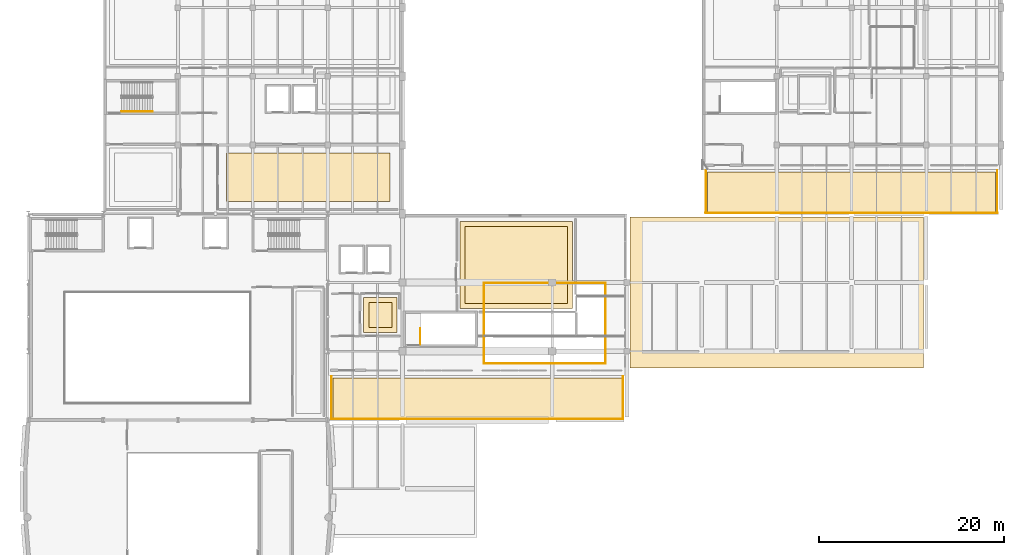
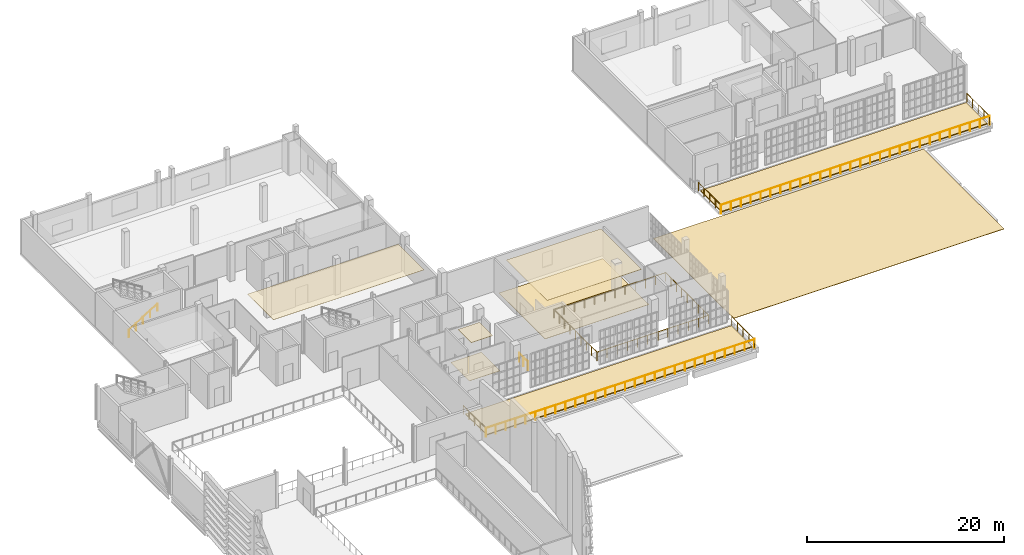
# One storey, part 54 of 56: 10 railings, 8 coverings.
"""IFC4 building model written with IfcOpenShell, lengths in metres."""

from ifc_helpers import new_model, si_unit, direction, frame, origin, origin_2d, place, context, subcontext, project, spatial, polyline, circle, outline, extrude, material, layer, layer_set, type_object, element, save


model = new_model("IFC4")

# Units and contexts
model_context = context("Model", 3, precision=1e-05, world=origin(), true_north=direction((0.0, 1.0)))
body_context = subcontext(model_context, "Body", "Model", "MODEL_VIEW")
ifc_project = project(units=[si_unit("LENGTHUNIT", "METRE"), si_unit("AREAUNIT", "SQUARE_METRE"), si_unit("VOLUMEUNIT", "CUBIC_METRE"), si_unit("PLANEANGLEUNIT", "RADIAN"), si_unit("MASSUNIT", "GRAM", prefix="KILO")], contexts=[model_context])

# Site, building, storey
site_placement = place(None, origin())
site = spatial("IfcSite", under=ifc_project, at=site_placement, CompositionType="ELEMENT")
building_placement = place(site_placement, origin())
building = spatial("IfcBuilding", under=site, at=building_placement, Name="Kaelora Sail Theatre", CompositionType="ELEMENT")
storey_placement = place(building_placement, frame((0.0, 0.0, 14.699951171875)))
storey = spatial("IfcBuildingStorey", under=building, at=storey_placement, Name="L03", CompositionType="ELEMENT", Elevation=14.699951171875)

# Coverings
ifc_material_1 = material(Name="Micro-perforated timber acoustic reflector", Category="wood")
ifc_layer_1 = layer(ifc_material_1, 0.050048828125)
ifc_layer_set_1 = layer_set([ifc_layer_1], Name="Micro-perforated timber acoustic reflector")
covering_type_1 = type_object("IfcCoveringType", Name="ARC-COV-CLG-AC-50", PredefinedType="CEILING", material=ifc_layer_set_1)
covering_1_placement = place(storey_placement, frame((0.0, 0.0, 4.215087890625)))
element("IfcCovering", 1, at=covering_1_placement, inside=storey, type_object=covering_type_1, Name="Acoustic ceiling L03-DONOR-EAST", PredefinedType="CEILING", context=body_context, shape_type="SweptSolid", body=[
    extrude(outline(polyline([(62.64990234375, 71.050048828125), (65.14990234375, 71.050048828125), (65.14990234375, 73.75), (62.64990234375, 73.75), (62.64990234375, 71.050048828125)])), origin(), (0.0, 0.0, 1.0), 0.050048828125),
])
ifc_material_2 = material(Name="Suspended acoustic mineral-fibre ceiling", Category="gypsum")
ifc_layer_2 = layer(ifc_material_2, 0.034912109375)
ifc_layer_set_2 = layer_set([ifc_layer_2], Name="Suspended acoustic mineral-fibre ceiling")
covering_type_2 = type_object("IfcCoveringType", Name="ARC-COV-CLG-GYP-35", PredefinedType="CEILING", material=ifc_layer_set_2)
covering_2_placement = place(storey_placement, frame((0.0, 0.0, 4.22998046875)))
element("IfcCovering", 2, at=covering_2_placement, inside=storey, type_object=covering_type_2, Name="Acoustic ceiling L03-FOY-VIP", PredefinedType="CEILING", context=body_context, shape_type="SweptSolid", body=[
    extrude(outline(polyline([(73.050048828125, 73.64990234375), (84.14990234375, 73.64990234375), (84.14990234375, 81.949951171875), (73.050048828125, 81.949951171875), (73.050048828125, 73.64990234375)])), origin(), (0.0, 0.0, 1.0), 0.03515625),
])
covering_3_placement = place(storey_placement, frame((0.0, 0.0, 4.2099609375)))
element("IfcCovering", 3, at=covering_3_placement, inside=storey, type_object=covering_type_2, Name="Acoustic ceiling L03-SCORE-W", PredefinedType="CEILING", context=body_context, shape_type="SweptSolid", body=[
    extrude(outline(polyline([(47.25, 84.64990234375), (64.949951171875, 84.64990234375), (64.949951171875, 89.89990234375), (47.25, 89.89990234375), (47.25, 84.64990234375)])), origin(), (0.0, 0.0, 1.0), 0.03515625),
])
ifc_material_3 = material(Name="Polished basalt-terrazzo foyer flooring", Category="masonry")
ifc_layer_3 = layer(ifc_material_3, 0.031982421875)
ifc_layer_set_3 = layer_set([ifc_layer_3], Name="Polished basalt-terrazzo foyer flooring")
covering_type_3 = type_object("IfcCoveringType", Name="ARC-COV-FLR-TRZ-32", PredefinedType="FLOORING", material=ifc_layer_set_3)
covering_4_placement = place(storey_placement, origin())
element("IfcCovering", 4, at=covering_4_placement, inside=storey, type_object=covering_type_3, Name="Architectural flooring L03-FOY-VIP", PredefinedType="FLOORING", context=body_context, shape_type="SweptSolid", body=[
    extrude(outline(polyline([(72.5, 73.10009765625), (84.699951171875, 73.10009765625), (84.699951171875, 82.5), (72.5, 82.5), (72.5, 73.10009765625)])), origin(), (0.0, 0.0, 1.0), 0.031982421875),
])
covering_5_placement = place(storey_placement, origin())
element("IfcCovering", 5, at=covering_5_placement, inside=storey, type_object=covering_type_3, Name="Architectural flooring L03-DONOR-EAST", PredefinedType="FLOORING", context=body_context, shape_type="SweptSolid", body=[
    extrude(outline(polyline([(62.10009765625, 70.5), (65.699951171875, 70.5), (65.699951171875, 74.300048828125), (62.10009765625, 74.300048828125), (62.10009765625, 70.5)])), origin(), (0.0, 0.0, 1.0), 0.031982421875),
])
ifc_material_4 = material(Name="Planted roof garden and green foliage terrace bed", Category="earth")
ifc_layer_4 = layer(ifc_material_4, 0.1201171875)
ifc_layer_set_4 = layer_set([ifc_layer_4], Name="Planted roof garden and green foliage terrace bed")
covering_type_4 = type_object("IfcCoveringType", Name="ARC-COV-GRN", PredefinedType="ROOFING", material=ifc_layer_set_4)
covering_6_placement = place(storey_placement, origin())
element("IfcCovering", 6, at=covering_6_placement, inside=storey, type_object=covering_type_4, Name="Third Step Belvedere Foyer Planted Podium Terrace Planted Garden Bed", PredefinedType="ROOFING", context=body_context, shape_type="SweptSolid", body=[
    extrude(outline(polyline([(58.800048828125, 61.284912109375), (90.0, 61.284912109375), (90.0, 65.56494140625), (58.800048828125, 65.56494140625), (58.800048828125, 61.284912109375)])), origin(), (0.0, 0.0, 1.0), 0.1201171875),
])
covering_7_placement = place(storey_placement, origin())
element("IfcCovering", 7, at=covering_7_placement, inside=storey, type_object=covering_type_4, Name="Fourth Step Choreography Planted Garden Terrace Planted Garden Bed", PredefinedType="ROOFING", context=body_context, shape_type="SweptSolid", body=[
    extrude(outline(polyline([(99.300048828125, 83.60498046875), (130.5, 83.60498046875), (130.5, 87.885009765625), (99.300048828125, 87.885009765625), (99.300048828125, 83.60498046875)])), origin(), (0.0, 0.0, 1.0), 0.1201171875),
])
ifc_material_5 = material(Name="Standing-seam titanium-zinc and TPO membrane", Category="metal")
ifc_layer_5 = layer(ifc_material_5, 0.044921875)
ifc_layer_set_5 = layer_set([ifc_layer_5], Name="Standing-seam titanium-zinc and TPO membrane")
covering_type_5 = type_object("IfcCoveringType", Name="ARC-COV-RFM", PredefinedType="ROOFING", material=ifc_layer_set_5)
covering_8_placement = place(storey_placement, origin())
element("IfcCovering", 8, at=covering_8_placement, inside=storey, type_object=covering_type_5, Name="Standing-seam titanium-zinc roofing FC2", PredefinedType="ROOFING", context=body_context, shape_type="SweptSolid", body=[
    extrude(outline(polyline([(90.929931640625, 66.64990234375), (122.669921875, 66.64990234375), (122.669921875, 83.010009765625), (90.929931640625, 83.010009765625), (90.929931640625, 66.64990234375)])), origin(), (0.0, 0.0, 1.0), 0.045166015625),
])

# Railings
ifc_material_6 = material(Name="Acoustic bronze and laminated glass balcony balustrade", Category="glass")
railing_type_1 = type_object("IfcRailingType", Name="ARC-RL-BAL", PredefinedType="BALUSTRADE", material=ifc_material_6)
railing_1_placement = place(storey_placement, frame((75.139892578125, 71.449951171875, 0.0)))
element("IfcRailing", 9, at=railing_1_placement, inside=storey, type_object=railing_type_1, Name="Interior void balustrade ATRIUM-3 south", PredefinedType="BALUSTRADE", context=body_context, shape_type="SweptSolid", body=[
    extrude(circle(Radius=0.02392578125, at=origin_2d()), frame((0.0, 0.0, 1.076171875), z_axis=(0.0, -1.0, 0.0), x_axis=(1.0, 0.0, 0.0)), (0.0, 0.0, 1.0), 4.31005859375),
    extrude(circle(Radius=0.02392578125, at=origin_2d()), frame((0.0, -4.31005859375, 1.076171875), z_axis=(1.0, 0.0, 0.0), x_axis=(0.0, 1.0, 0.0)), (0.0, 0.0, 1.0), 13.1201171875),
    extrude(circle(Radius=0.02392578125, at=origin_2d()), frame((13.1201171875, -4.31005859375, 1.076171875), z_axis=(0.0, 1.0, 0.0), x_axis=(-1.0, 0.0, 0.0)), (0.0, 0.0, 1.0), 4.31005859375),
    extrude(circle(Radius=0.02099609375, at=origin_2d()), origin(), (0.0, 0.0, 1.0), 1.052001953125),
    extrude(circle(Radius=0.02099609375, at=origin_2d()), frame((0.0, -1.07763671875, 0.0)), (0.0, 0.0, 1.0), 1.052001953125),
    extrude(circle(Radius=0.02099609375, at=origin_2d()), frame((0.0, -2.155029296875, 0.0)), (0.0, 0.0, 1.0), 1.052001953125),
    extrude(circle(Radius=0.02099609375, at=origin_2d()), frame((0.0, -3.232421875, 0.0)), (0.0, 0.0, 1.0), 1.052001953125),
    extrude(circle(Radius=0.02099609375, at=origin_2d()), frame((0.0, -4.31005859375, 0.0)), (0.0, 0.0, 1.0), 1.052001953125),
    extrude(circle(Radius=0.02099609375, at=origin_2d()), frame((1.192626953125, -4.31005859375, 0.0)), (0.0, 0.0, 1.0), 1.052001953125),
    extrude(circle(Radius=0.02099609375, at=origin_2d()), frame((2.385498046875, -4.31005859375, 0.0)), (0.0, 0.0, 1.0), 1.052001953125),
    extrude(circle(Radius=0.02099609375, at=origin_2d()), frame((3.578125, -4.31005859375, 0.0)), (0.0, 0.0, 1.0), 1.052001953125),
    extrude(circle(Radius=0.02099609375, at=origin_2d()), frame((4.77099609375, -4.31005859375, 0.0)), (0.0, 0.0, 1.0), 1.052001953125),
    extrude(circle(Radius=0.02099609375, at=origin_2d()), frame((5.963623046875, -4.31005859375, 0.0)), (0.0, 0.0, 1.0), 1.052001953125),
    extrude(circle(Radius=0.02099609375, at=origin_2d()), frame((7.156494140625, -4.31005859375, 0.0)), (0.0, 0.0, 1.0), 1.052001953125),
    extrude(circle(Radius=0.02099609375, at=origin_2d()), frame((8.34912109375, -4.31005859375, 0.0)), (0.0, 0.0, 1.0), 1.052001953125),
    extrude(circle(Radius=0.02099609375, at=origin_2d()), frame((9.5419921875, -4.31005859375, 0.0)), (0.0, 0.0, 1.0), 1.052001953125),
    extrude(circle(Radius=0.02099609375, at=origin_2d()), frame((10.734619140625, -4.31005859375, 0.0)), (0.0, 0.0, 1.0), 1.052001953125),
    extrude(circle(Radius=0.02099609375, at=origin_2d()), frame((11.927490234375, -4.31005859375, 0.0)), (0.0, 0.0, 1.0), 1.052001953125),
    extrude(circle(Radius=0.02099609375, at=origin_2d()), frame((13.1201171875, -4.31005859375, 0.0)), (0.0, 0.0, 1.0), 1.052001953125),
    extrude(circle(Radius=0.02099609375, at=origin_2d()), frame((13.1201171875, -3.232421875, 0.0)), (0.0, 0.0, 1.0), 1.052001953125),
    extrude(circle(Radius=0.02099609375, at=origin_2d()), frame((13.1201171875, -2.155029296875, 0.0)), (0.0, 0.0, 1.0), 1.052001953125),
    extrude(circle(Radius=0.02099609375, at=origin_2d()), frame((13.1201171875, -1.07763671875, 0.0)), (0.0, 0.0, 1.0), 1.052001953125),
    extrude(circle(Radius=0.02099609375, at=origin_2d()), frame((13.1201171875, 0.0, 0.0)), (0.0, 0.0, 1.0), 1.052001953125),
])
railing_2_placement = place(storey_placement, frame((88.260009765625, 71.550048828125, 0.0)))
element("IfcRailing", 10, at=railing_2_placement, inside=storey, type_object=railing_type_1, Name="Interior void balustrade ATRIUM-3 north", PredefinedType="BALUSTRADE", context=body_context, shape_type="SweptSolid", body=[
    extrude(circle(Radius=0.02392578125, at=origin_2d()), frame((0.0, 0.0, 1.076171875), z_axis=(0.0, 1.0, 0.0), x_axis=(-1.0, 0.0, 0.0)), (0.0, 0.0, 1.0), 4.31005859375),
    extrude(circle(Radius=0.02392578125, at=origin_2d()), frame((0.0, 4.31005859375, 1.076171875), z_axis=(-1.0, 0.0, 0.0), x_axis=(0.0, -1.0, 0.0)), (0.0, 0.0, 1.0), 13.1201171875),
    extrude(circle(Radius=0.02392578125, at=origin_2d()), frame((-13.1201171875, 4.31005859375, 1.076171875), z_axis=(0.0, -1.0, 0.0), x_axis=(1.0, 0.0, 0.0)), (0.0, 0.0, 1.0), 4.31005859375),
    extrude(circle(Radius=0.02099609375, at=origin_2d()), origin(), (0.0, 0.0, 1.0), 1.052001953125),
    extrude(circle(Radius=0.02099609375, at=origin_2d()), frame((0.0, 1.07763671875, 0.0)), (0.0, 0.0, 1.0), 1.052001953125),
    extrude(circle(Radius=0.02099609375, at=origin_2d()), frame((0.0, 2.155029296875, 0.0)), (0.0, 0.0, 1.0), 1.052001953125),
    extrude(circle(Radius=0.02099609375, at=origin_2d()), frame((0.0, 3.232421875, 0.0)), (0.0, 0.0, 1.0), 1.052001953125),
    extrude(circle(Radius=0.02099609375, at=origin_2d()), frame((0.0, 4.31005859375, 0.0)), (0.0, 0.0, 1.0), 1.052001953125),
    extrude(circle(Radius=0.02099609375, at=origin_2d()), frame((-1.192626953125, 4.31005859375, 0.0)), (0.0, 0.0, 1.0), 1.052001953125),
    extrude(circle(Radius=0.02099609375, at=origin_2d()), frame((-2.385498046875, 4.31005859375, 0.0)), (0.0, 0.0, 1.0), 1.052001953125),
    extrude(circle(Radius=0.02099609375, at=origin_2d()), frame((-3.578125, 4.31005859375, 0.0)), (0.0, 0.0, 1.0), 1.052001953125),
    extrude(circle(Radius=0.02099609375, at=origin_2d()), frame((-4.77099609375, 4.31005859375, 0.0)), (0.0, 0.0, 1.0), 1.052001953125),
    extrude(circle(Radius=0.02099609375, at=origin_2d()), frame((-5.963623046875, 4.31005859375, 0.0)), (0.0, 0.0, 1.0), 1.052001953125),
    extrude(circle(Radius=0.02099609375, at=origin_2d()), frame((-7.156494140625, 4.31005859375, 0.0)), (0.0, 0.0, 1.0), 1.052001953125),
    extrude(circle(Radius=0.02099609375, at=origin_2d()), frame((-8.34912109375, 4.31005859375, 0.0)), (0.0, 0.0, 1.0), 1.052001953125),
    extrude(circle(Radius=0.02099609375, at=origin_2d()), frame((-9.5419921875, 4.31005859375, 0.0)), (0.0, 0.0, 1.0), 1.052001953125),
    extrude(circle(Radius=0.02099609375, at=origin_2d()), frame((-10.734619140625, 4.31005859375, 0.0)), (0.0, 0.0, 1.0), 1.052001953125),
    extrude(circle(Radius=0.02099609375, at=origin_2d()), frame((-11.927490234375, 4.31005859375, 0.0)), (0.0, 0.0, 1.0), 1.052001953125),
    extrude(circle(Radius=0.02099609375, at=origin_2d()), frame((-13.1201171875, 4.31005859375, 0.0)), (0.0, 0.0, 1.0), 1.052001953125),
    extrude(circle(Radius=0.02099609375, at=origin_2d()), frame((-13.1201171875, 3.232421875, 0.0)), (0.0, 0.0, 1.0), 1.052001953125),
    extrude(circle(Radius=0.02099609375, at=origin_2d()), frame((-13.1201171875, 2.155029296875, 0.0)), (0.0, 0.0, 1.0), 1.052001953125),
    extrude(circle(Radius=0.02099609375, at=origin_2d()), frame((-13.1201171875, 1.07763671875, 0.0)), (0.0, 0.0, 1.0), 1.052001953125),
    extrude(circle(Radius=0.02099609375, at=origin_2d()), frame((-13.1201171875, 0.0, 0.0)), (0.0, 0.0, 1.0), 1.052001953125),
])
ifc_material_7 = material(Name="Painted steel and laminated safety glass guard", Category="steel")
railing_type_2 = type_object("IfcRailingType", Name="ARC-RL-GRD", PredefinedType="GUARDRAIL", material=ifc_material_7)
railing_3_placement = place(storey_placement, frame((68.219970703125, 69.199951171875, 0.0)))
element("IfcRailing", 11, at=railing_3_placement, inside=storey, type_object=railing_type_2, Name="L03 ST-F1 top well guard 1", PredefinedType="GUARDRAIL", context=body_context, shape_type="SweptSolid", body=[
    extrude(circle(Radius=0.02392578125, at=origin_2d()), frame((0.0, 0.0, 1.076171875), z_axis=(0.0, 1.0, 0.0), x_axis=(-1.0, 0.0, 0.0)), (0.0, 0.0, 1.0), 1.75),
    extrude(circle(Radius=0.02099609375, at=origin_2d()), origin(), (0.0, 0.0, 1.0), 1.052001953125),
    extrude(circle(Radius=0.02099609375, at=origin_2d()), frame((0.0, 0.875, 0.0)), (0.0, 0.0, 1.0), 1.052001953125),
    extrude(circle(Radius=0.02099609375, at=origin_2d()), frame((0.0, 1.75, 0.0)), (0.0, 0.0, 1.0), 1.052001953125),
])
ifc_material_8 = material(Name="Brushed stainless steel 316L tubular handrail", Category="steel")
railing_type_3 = type_object("IfcRailingType", Name="ARC-RL-HND", PredefinedType="HANDRAIL", material=ifc_material_8)
railing_4_placement = place(storey_placement, frame((35.89990234375, 94.39990234375, 0.173095703125)))
element("IfcRailing", 12, at=railing_4_placement, inside=storey, type_object=railing_type_3, Name="L03 ST-K2 stair handrail 1", PredefinedType="HANDRAIL", context=body_context, shape_type="SweptSolid", body=[
    extrude(circle(Radius=0.02392578125, at=origin_2d()), frame((0.0, 0.0, 0.8759765625), z_axis=(0.850623216509, 0.0, 0.525775754039), x_axis=(0.0, 1.0, 0.0)), (0.0, 0.0, 1.0), 3.9501953125),
    extrude(circle(Radius=0.02099609375, at=origin_2d()), origin(), (0.0, 0.0, 1.0), 0.851806640625),
    extrude(circle(Radius=0.02099609375, at=origin_2d()), frame((0.840087890625, 0.0, 0.519287109375)), (0.0, 0.0, 1.0), 0.851806640625),
    extrude(circle(Radius=0.02099609375, at=origin_2d()), frame((1.68017578125, 0.0, 1.03857421875)), (0.0, 0.0, 1.0), 0.851806640625),
    extrude(circle(Radius=0.02099609375, at=origin_2d()), frame((2.52001953125, 0.0, 1.5576171875)), (0.0, 0.0, 1.0), 0.851806640625),
    extrude(circle(Radius=0.02099609375, at=origin_2d()), frame((3.360107421875, 0.0, 2.076904296875)), (0.0, 0.0, 1.0), 0.851806640625),
])
ifc_material_9 = material(Name="Stainless steel 316L and laminated glass balustrade", Category="steel")
railing_type_4 = type_object("IfcRailingType", Name="ARC-RL-TER", PredefinedType="GUARDRAIL", material=ifc_material_9)
railing_5_placement = place(storey_placement, frame((58.610107421875, 61.114990234375, 0.0)))
element("IfcRailing", 13, at=railing_5_placement, inside=storey, type_object=railing_type_4, Name="Third Step Belvedere Foyer Planted Podium Terrace Balustrade S", PredefinedType="GUARDRAIL", context=body_context, shape_type="SweptSolid", body=[
    extrude(circle(Radius=0.02392578125, at=origin_2d()), frame((0.0, 0.0, 1.076171875), z_axis=(1.0, 0.0, 0.0), x_axis=(0.0, 1.0, 0.0)), (0.0, 0.0, 1.0), 31.579833984375),
    extrude(circle(Radius=0.02099609375, at=origin_2d()), origin(), (0.0, 0.0, 1.0), 1.052001953125),
    extrude(circle(Radius=0.02099609375, at=origin_2d()), frame((1.169677734375, 0.0, 0.0)), (0.0, 0.0, 1.0), 1.052001953125),
    extrude(circle(Radius=0.02099609375, at=origin_2d()), frame((2.33935546875, 0.0, 0.0)), (0.0, 0.0, 1.0), 1.052001953125),
    extrude(circle(Radius=0.02099609375, at=origin_2d()), frame((3.5087890625, 0.0, 0.0)), (0.0, 0.0, 1.0), 1.052001953125),
    extrude(circle(Radius=0.02099609375, at=origin_2d()), frame((4.678466796875, 0.0, 0.0)), (0.0, 0.0, 1.0), 1.052001953125),
    extrude(circle(Radius=0.02099609375, at=origin_2d()), frame((5.84814453125, 0.0, 0.0)), (0.0, 0.0, 1.0), 1.052001953125),
    extrude(circle(Radius=0.02099609375, at=origin_2d()), frame((7.017822265625, 0.0, 0.0)), (0.0, 0.0, 1.0), 1.052001953125),
    extrude(circle(Radius=0.02099609375, at=origin_2d()), frame((8.187255859375, 0.0, 0.0)), (0.0, 0.0, 1.0), 1.052001953125),
    extrude(circle(Radius=0.02099609375, at=origin_2d()), frame((9.35693359375, 0.0, 0.0)), (0.0, 0.0, 1.0), 1.052001953125),
    extrude(circle(Radius=0.02099609375, at=origin_2d()), frame((10.526611328125, 0.0, 0.0)), (0.0, 0.0, 1.0), 1.052001953125),
    extrude(circle(Radius=0.02099609375, at=origin_2d()), frame((11.6962890625, 0.0, 0.0)), (0.0, 0.0, 1.0), 1.052001953125),
    extrude(circle(Radius=0.02099609375, at=origin_2d()), frame((12.865966796875, 0.0, 0.0)), (0.0, 0.0, 1.0), 1.052001953125),
    extrude(circle(Radius=0.02099609375, at=origin_2d()), frame((14.035400390625, 0.0, 0.0)), (0.0, 0.0, 1.0), 1.052001953125),
    extrude(circle(Radius=0.02099609375, at=origin_2d()), frame((15.205078125, 0.0, 0.0)), (0.0, 0.0, 1.0), 1.052001953125),
    extrude(circle(Radius=0.02099609375, at=origin_2d()), frame((16.374755859375, 0.0, 0.0)), (0.0, 0.0, 1.0), 1.052001953125),
    extrude(circle(Radius=0.02099609375, at=origin_2d()), frame((17.54443359375, 0.0, 0.0)), (0.0, 0.0, 1.0), 1.052001953125),
    extrude(circle(Radius=0.02099609375, at=origin_2d()), frame((18.7138671875, 0.0, 0.0)), (0.0, 0.0, 1.0), 1.052001953125),
    extrude(circle(Radius=0.02099609375, at=origin_2d()), frame((19.883544921875, 0.0, 0.0)), (0.0, 0.0, 1.0), 1.052001953125),
    extrude(circle(Radius=0.02099609375, at=origin_2d()), frame((21.05322265625, 0.0, 0.0)), (0.0, 0.0, 1.0), 1.052001953125),
    extrude(circle(Radius=0.02099609375, at=origin_2d()), frame((22.222900390625, 0.0, 0.0)), (0.0, 0.0, 1.0), 1.052001953125),
    extrude(circle(Radius=0.02099609375, at=origin_2d()), frame((23.392578125, 0.0, 0.0)), (0.0, 0.0, 1.0), 1.052001953125),
    extrude(circle(Radius=0.02099609375, at=origin_2d()), frame((24.56201171875, 0.0, 0.0)), (0.0, 0.0, 1.0), 1.052001953125),
    extrude(circle(Radius=0.02099609375, at=origin_2d()), frame((25.731689453125, 0.0, 0.0)), (0.0, 0.0, 1.0), 1.052001953125),
    extrude(circle(Radius=0.02099609375, at=origin_2d()), frame((26.9013671875, 0.0, 0.0)), (0.0, 0.0, 1.0), 1.052001953125),
    extrude(circle(Radius=0.02099609375, at=origin_2d()), frame((28.071044921875, 0.0, 0.0)), (0.0, 0.0, 1.0), 1.052001953125),
    extrude(circle(Radius=0.02099609375, at=origin_2d()), frame((29.240478515625, 0.0, 0.0)), (0.0, 0.0, 1.0), 1.052001953125),
    extrude(circle(Radius=0.02099609375, at=origin_2d()), frame((30.41015625, 0.0, 0.0)), (0.0, 0.0, 1.0), 1.052001953125),
    extrude(circle(Radius=0.02099609375, at=origin_2d()), frame((31.579833984375, 0.0, 0.0)), (0.0, 0.0, 1.0), 1.052001953125),
])
for number, where, name in (
    (14, (58.6298828125, 61.114990234375, 0.0), "Third Step Belvedere Foyer Planted Podium Terrace Balustrade W"),
    (15, (90.169921875, 61.114990234375, 0.0), "Third Step Belvedere Foyer Planted Podium Terrace Balustrade E"),
):
    element("IfcRailing", number, at=place(storey_placement, frame(where)), inside=storey, type_object=railing_type_4, Name=name, PredefinedType="GUARDRAIL", context=body_context, shape_type="SweptSolid", body=[
        extrude(circle(Radius=0.02392578125, at=origin_2d()), frame((0.0, 0.0, 1.076171875), z_axis=(0.0, 1.0, 0.0), x_axis=(-1.0, 0.0, 0.0)), (0.0, 0.0, 1.0), 4.6201171875),
        extrude(circle(Radius=0.02099609375, at=origin_2d()), origin(), (0.0, 0.0, 1.0), 1.052001953125),
        extrude(circle(Radius=0.02099609375, at=origin_2d()), frame((0.0, 1.155029296875, 0.0)), (0.0, 0.0, 1.0), 1.052001953125),
        extrude(circle(Radius=0.02099609375, at=origin_2d()), frame((0.0, 2.31005859375, 0.0)), (0.0, 0.0, 1.0), 1.052001953125),
        extrude(circle(Radius=0.02099609375, at=origin_2d()), frame((0.0, 3.465087890625, 0.0)), (0.0, 0.0, 1.0), 1.052001953125),
        extrude(circle(Radius=0.02099609375, at=origin_2d()), frame((0.0, 4.6201171875, 0.0)), (0.0, 0.0, 1.0), 1.052001953125),
    ])
railing_6_placement = place(storey_placement, frame((99.110107421875, 83.43505859375, 0.0)))
element("IfcRailing", 16, at=railing_6_placement, inside=storey, type_object=railing_type_4, Name="Fourth Step Choreography Planted Garden Terrace Balustrade S", PredefinedType="GUARDRAIL", context=body_context, shape_type="SweptSolid", body=[
    extrude(circle(Radius=0.02392578125, at=origin_2d()), frame((0.0, 0.0, 1.076171875), z_axis=(1.0, 0.0, 0.0), x_axis=(0.0, 1.0, 0.0)), (0.0, 0.0, 1.0), 31.579833984375),
    extrude(circle(Radius=0.02099609375, at=origin_2d()), origin(), (0.0, 0.0, 1.0), 1.052001953125),
    extrude(circle(Radius=0.02099609375, at=origin_2d()), frame((1.169677734375, 0.0, 0.0)), (0.0, 0.0, 1.0), 1.052001953125),
    extrude(circle(Radius=0.02099609375, at=origin_2d()), frame((2.33935546875, 0.0, 0.0)), (0.0, 0.0, 1.0), 1.052001953125),
    extrude(circle(Radius=0.02099609375, at=origin_2d()), frame((3.5087890625, 0.0, 0.0)), (0.0, 0.0, 1.0), 1.052001953125),
    extrude(circle(Radius=0.02099609375, at=origin_2d()), frame((4.678466796875, 0.0, 0.0)), (0.0, 0.0, 1.0), 1.052001953125),
    extrude(circle(Radius=0.02099609375, at=origin_2d()), frame((5.84814453125, 0.0, 0.0)), (0.0, 0.0, 1.0), 1.052001953125),
    extrude(circle(Radius=0.02099609375, at=origin_2d()), frame((7.017822265625, 0.0, 0.0)), (0.0, 0.0, 1.0), 1.052001953125),
    extrude(circle(Radius=0.02099609375, at=origin_2d()), frame((8.187255859375, 0.0, 0.0)), (0.0, 0.0, 1.0), 1.052001953125),
    extrude(circle(Radius=0.02099609375, at=origin_2d()), frame((9.35693359375, 0.0, 0.0)), (0.0, 0.0, 1.0), 1.052001953125),
    extrude(circle(Radius=0.02099609375, at=origin_2d()), frame((10.526611328125, 0.0, 0.0)), (0.0, 0.0, 1.0), 1.052001953125),
    extrude(circle(Radius=0.02099609375, at=origin_2d()), frame((11.6962890625, 0.0, 0.0)), (0.0, 0.0, 1.0), 1.052001953125),
    extrude(circle(Radius=0.02099609375, at=origin_2d()), frame((12.865966796875, 0.0, 0.0)), (0.0, 0.0, 1.0), 1.052001953125),
    extrude(circle(Radius=0.02099609375, at=origin_2d()), frame((14.035400390625, 0.0, 0.0)), (0.0, 0.0, 1.0), 1.052001953125),
    extrude(circle(Radius=0.02099609375, at=origin_2d()), frame((15.205078125, 0.0, 0.0)), (0.0, 0.0, 1.0), 1.052001953125),
    extrude(circle(Radius=0.02099609375, at=origin_2d()), frame((16.374755859375, 0.0, 0.0)), (0.0, 0.0, 1.0), 1.052001953125),
    extrude(circle(Radius=0.02099609375, at=origin_2d()), frame((17.54443359375, 0.0, 0.0)), (0.0, 0.0, 1.0), 1.052001953125),
    extrude(circle(Radius=0.02099609375, at=origin_2d()), frame((18.7138671875, 0.0, 0.0)), (0.0, 0.0, 1.0), 1.052001953125),
    extrude(circle(Radius=0.02099609375, at=origin_2d()), frame((19.883544921875, 0.0, 0.0)), (0.0, 0.0, 1.0), 1.052001953125),
    extrude(circle(Radius=0.02099609375, at=origin_2d()), frame((21.05322265625, 0.0, 0.0)), (0.0, 0.0, 1.0), 1.052001953125),
    extrude(circle(Radius=0.02099609375, at=origin_2d()), frame((22.222900390625, 0.0, 0.0)), (0.0, 0.0, 1.0), 1.052001953125),
    extrude(circle(Radius=0.02099609375, at=origin_2d()), frame((23.392578125, 0.0, 0.0)), (0.0, 0.0, 1.0), 1.052001953125),
    extrude(circle(Radius=0.02099609375, at=origin_2d()), frame((24.56201171875, 0.0, 0.0)), (0.0, 0.0, 1.0), 1.052001953125),
    extrude(circle(Radius=0.02099609375, at=origin_2d()), frame((25.731689453125, 0.0, 0.0)), (0.0, 0.0, 1.0), 1.052001953125),
    extrude(circle(Radius=0.02099609375, at=origin_2d()), frame((26.9013671875, 0.0, 0.0)), (0.0, 0.0, 1.0), 1.052001953125),
    extrude(circle(Radius=0.02099609375, at=origin_2d()), frame((28.071044921875, 0.0, 0.0)), (0.0, 0.0, 1.0), 1.052001953125),
    extrude(circle(Radius=0.02099609375, at=origin_2d()), frame((29.240478515625, 0.0, 0.0)), (0.0, 0.0, 1.0), 1.052001953125),
    extrude(circle(Radius=0.02099609375, at=origin_2d()), frame((30.41015625, 0.0, 0.0)), (0.0, 0.0, 1.0), 1.052001953125),
    extrude(circle(Radius=0.02099609375, at=origin_2d()), frame((31.579833984375, 0.0, 0.0)), (0.0, 0.0, 1.0), 1.052001953125),
])
for number, where, name in (
    (17, (99.1298828125, 83.43505859375, 0.0), "Fourth Step Choreography Planted Garden Terrace Balustrade W"),
    (18, (130.669921875, 83.43505859375, 0.0), "Fourth Step Choreography Planted Garden Terrace Balustrade E"),
):
    element("IfcRailing", number, at=place(storey_placement, frame(where)), inside=storey, type_object=railing_type_4, Name=name, PredefinedType="GUARDRAIL", context=body_context, shape_type="SweptSolid", body=[
        extrude(circle(Radius=0.02392578125, at=origin_2d()), frame((0.0, 0.0, 1.076171875), z_axis=(0.0, 1.0, 0.0), x_axis=(-1.0, 0.0, 0.0)), (0.0, 0.0, 1.0), 4.619873046875),
        extrude(circle(Radius=0.02099609375, at=origin_2d()), origin(), (0.0, 0.0, 1.0), 1.052001953125),
        extrude(circle(Radius=0.02099609375, at=origin_2d()), frame((0.0, 1.155029296875, 0.0)), (0.0, 0.0, 1.0), 1.052001953125),
        extrude(circle(Radius=0.02099609375, at=origin_2d()), frame((0.0, 2.31005859375, 0.0)), (0.0, 0.0, 1.0), 1.052001953125),
        extrude(circle(Radius=0.02099609375, at=origin_2d()), frame((0.0, 3.46484375, 0.0)), (0.0, 0.0, 1.0), 1.052001953125),
        extrude(circle(Radius=0.02099609375, at=origin_2d()), frame((0.0, 4.619873046875, 0.0)), (0.0, 0.0, 1.0), 1.052001953125),
    ])

save(model, "model.ifc")
